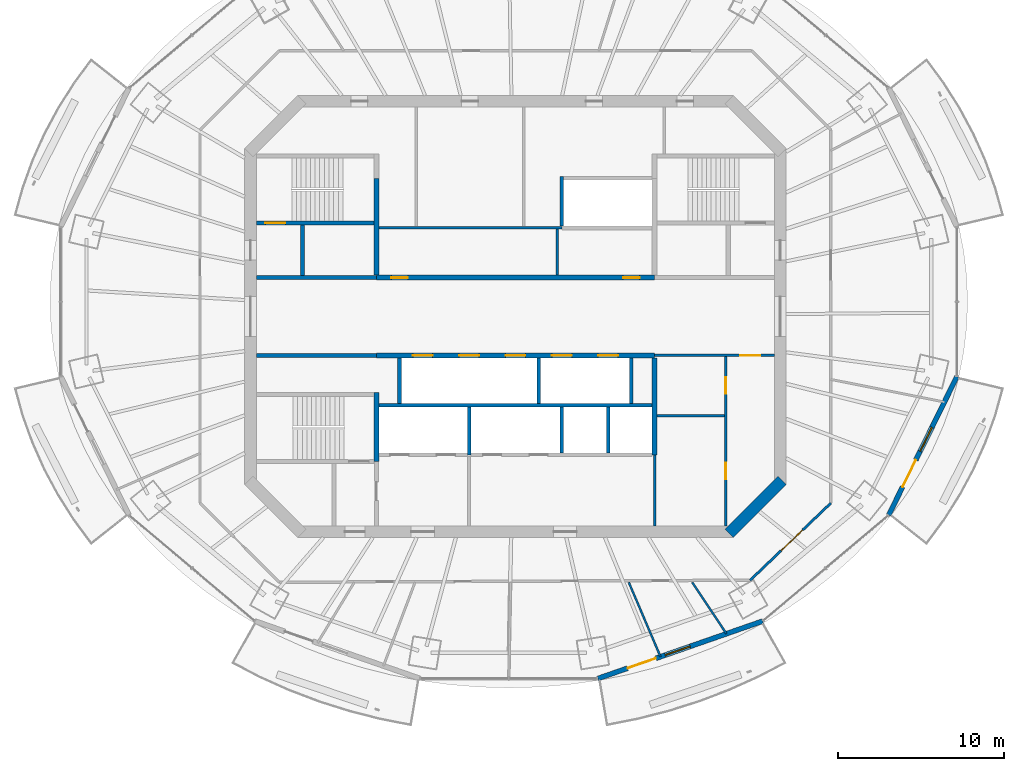
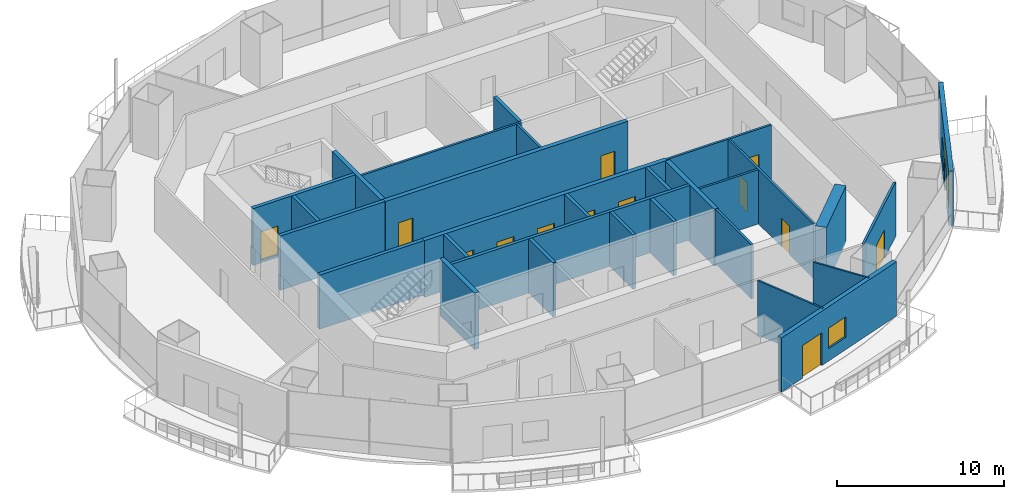
# One storey, part 9 of 16: 29 walls, 14 doors, 2 windows, 16 openings.
"""IFC4 building model written with IfcOpenShell, lengths in metres."""

from ifc_helpers import new_model, si_unit, direction, frame, frame_2d, origin, place, context, subcontext, project, spatial, rectangle, extrude, material, layer, layer_set, type_object, element, fill, save


model = new_model("IFC4")

# Units and contexts
model_context = context("Model", 3, precision=1e-05, world=origin(), true_north=direction((0.0, 1.0)))
body_context = subcontext(model_context, "Body", "Model", "MODEL_VIEW")
ifc_project = project(units=[si_unit("LENGTHUNIT", "METRE"), si_unit("AREAUNIT", "SQUARE_METRE"), si_unit("VOLUMEUNIT", "CUBIC_METRE"), si_unit("PLANEANGLEUNIT", "RADIAN"), si_unit("MASSUNIT", "GRAM", prefix="KILO")], contexts=[model_context])

# Site, building, storey
site_placement = place(None, origin())
site = spatial("IfcSite", under=ifc_project, at=site_placement, CompositionType="ELEMENT")
building_placement = place(site_placement, origin())
building = spatial("IfcBuilding", under=site, at=building_placement, Name="Marenthal Gate Tower", CompositionType="ELEMENT")
storey_placement = place(building_placement, frame((0.0, 0.0, 330.14990234375)))
storey = spatial("IfcBuildingStorey", under=building, at=storey_placement, Name="L74", CompositionType="ELEMENT", Elevation=330.14990234375)

# Wall
ifc_material_1 = material(Name="Concrete 60 MPa", Category="concrete")
ifc_layer_1 = layer(ifc_material_1, 0.699951171875)
ifc_layer_set_1 = layer_set([ifc_layer_1], Name="Core shear wall 700")
wall_type_1 = type_object("IfcWallType", Name="Core shear wall 700", PredefinedType="SHEAR", material=ifc_layer_set_1)
wall_1_placement = place(storey_placement, frame((12.8974609375, -13.1025390625, -0.179931640625), z_axis=(0.0, 0.0, 1.0), x_axis=(0.707106781187, 0.707106781187, 0.0)))
element("IfcWall", 1, at=wall_1_placement, inside=storey, type_object=wall_type_1, Name="Core wall 01", PredefinedType="SHEAR", context=body_context, shape_type="SweptSolid", body=[
    extrude(rectangle(XDim=4.53271484375, YDim=0.699951171875, at=frame_2d((2.266357421875, 0.0))), origin(), (0.0, 0.0, 1.0), 4.150146484375),
])

# Wall, openings, doors
ifc_material_2 = material(Name="Concrete 50 MPa", Category="concrete")
ifc_layer_2 = layer(ifc_material_2, 0.300048828125)
ifc_layer_set_2 = layer_set([ifc_layer_2], Name="Hoistway shear wall 300")
wall_type_2 = type_object("IfcWallType", Name="Hoistway shear wall 300", PredefinedType="SHEAR", material=ifc_layer_set_2)
wall_2_placement = place(storey_placement, frame((-8.39990234375, -2.35009765625, -0.179931640625), z_axis=(0.0, 0.0, 1.0), x_axis=(1.0, 0.0, 0.0)))
wall_2 = element("IfcWall", 2, at=wall_2_placement, inside=storey, type_object=wall_type_2, Name="Hoistway wall 16", PredefinedType="SHEAR", context=body_context, shape_type="SweptSolid", body=[
    extrude(rectangle(XDim=16.7998046875, YDim=0.300048828125, at=frame_2d((8.39990234375, 0.0))), origin(), (0.0, 0.0, 1.0), 4.150146484375),
])
opening_1_placement = place(wall_2_placement, frame((2.199951171875, 0.0, 0.179931640625)))
opening_1 = element("IfcOpeningElement", 3, at=opening_1_placement, cuts=wall_2, Name="Opening LD-HP1", PredefinedType="OPENING", context=body_context, shape_type="SweptSolid", body=[
    extrude(rectangle(XDim=1.199951171875, YDim=2.10009765625, at=frame_2d((0.60009765625, 1.050048828125))), frame((0.0, 0.16015625, 0.0), z_axis=(0.0, -1.0, 0.0), x_axis=(1.0, 0.0, 0.0)), (0.0, 0.0, 1.0), 0.320068359375),
])
opening_2_placement = place(wall_2_placement, frame((5.0, 0.0, 0.179931640625)))
opening_2 = element("IfcOpeningElement", 4, at=opening_2_placement, cuts=wall_2, Name="Opening LD-HP2", PredefinedType="OPENING", context=body_context, shape_type="SweptSolid", body=[
    extrude(rectangle(XDim=1.199951171875, YDim=2.10009765625, at=frame_2d((0.60009765625, 1.050048828125))), frame((0.0, 0.16015625, 0.0), z_axis=(0.0, -1.0, 0.0), x_axis=(1.0, 0.0, 0.0)), (0.0, 0.0, 1.0), 0.320068359375),
])
opening_3_placement = place(wall_2_placement, frame((7.800048828125, 0.0, 0.179931640625)))
opening_3 = element("IfcOpeningElement", 5, at=opening_3_placement, cuts=wall_2, Name="Opening LD-HP3", PredefinedType="OPENING", context=body_context, shape_type="SweptSolid", body=[
    extrude(rectangle(XDim=1.199951171875, YDim=2.10009765625, at=frame_2d((0.60009765625, 1.050048828125))), frame((0.0, 0.16015625, 0.0), z_axis=(0.0, -1.0, 0.0), x_axis=(1.0, 0.0, 0.0)), (0.0, 0.0, 1.0), 0.320068359375),
])
opening_4_placement = place(wall_2_placement, frame((10.60009765625, 0.0, 0.179931640625)))
opening_4 = element("IfcOpeningElement", 6, at=opening_4_placement, cuts=wall_2, Name="Opening LD-HP4", PredefinedType="OPENING", context=body_context, shape_type="SweptSolid", body=[
    extrude(rectangle(XDim=1.199951171875, YDim=2.10009765625, at=frame_2d((0.60009765625, 1.050048828125))), frame((0.0, 0.16015625, 0.0), z_axis=(0.0, -1.0, 0.0), x_axis=(1.0, 0.0, 0.0)), (0.0, 0.0, 1.0), 0.320068359375),
])
opening_5_placement = place(wall_2_placement, frame((13.39990234375, 0.0, 0.179931640625)))
opening_5 = element("IfcOpeningElement", 7, at=opening_5_placement, cuts=wall_2, Name="Opening LD-HP5", PredefinedType="OPENING", context=body_context, shape_type="SweptSolid", body=[
    extrude(rectangle(XDim=1.199951171875, YDim=2.10009765625, at=frame_2d((0.60009765625, 1.050048828125))), frame((0.0, 0.16015625, 0.0), z_axis=(0.0, -1.0, 0.0), x_axis=(1.0, 0.0, 0.0)), (0.0, 0.0, 1.0), 0.320068359375),
])
ifc_material_3 = material(Name="Stainless steel sliding door", Category="steel")
door_type_1 = type_object("IfcDoorType", Name="Lift landing door FD 90 1200 x 2100", OperationType="DOUBLE_DOOR_SLIDING", PredefinedType="DOOR", material=ifc_material_3)
door_1_placement = place(opening_1_placement, origin())
door_1 = element("IfcDoor", 8, at=door_1_placement, inside=storey, type_object=door_type_1, Name="Lift landing door HP1", OperationType="DOUBLE_DOOR_SLIDING", OverallHeight=2.10009765625, OverallWidth=1.199951171875, PredefinedType="DOOR", context=body_context, shape_type="SweptSolid", body=[
    extrude(rectangle(XDim=1.199951171875, YDim=2.10009765625, at=frame_2d((0.60009765625, 1.050048828125))), frame((0.0, 0.02490234375, 0.0), z_axis=(0.0, -1.0, 0.0), x_axis=(1.0, 0.0, 0.0)), (0.0, 0.0, 1.0), 0.050048828125),
])
fill(opening_1, door_1)
door_2_placement = place(opening_2_placement, origin())
door_2 = element("IfcDoor", 9, at=door_2_placement, inside=storey, type_object=door_type_1, Name="Lift landing door HP2", OperationType="DOUBLE_DOOR_SLIDING", OverallHeight=2.10009765625, OverallWidth=1.199951171875, PredefinedType="DOOR", context=body_context, shape_type="SweptSolid", body=[
    extrude(rectangle(XDim=1.199951171875, YDim=2.10009765625, at=frame_2d((0.60009765625, 1.050048828125))), frame((0.0, 0.02490234375, 0.0), z_axis=(0.0, -1.0, 0.0), x_axis=(1.0, 0.0, 0.0)), (0.0, 0.0, 1.0), 0.050048828125),
])
fill(opening_2, door_2)
door_3_placement = place(opening_3_placement, origin())
door_3 = element("IfcDoor", 10, at=door_3_placement, inside=storey, type_object=door_type_1, Name="Lift landing door HP3", OperationType="DOUBLE_DOOR_SLIDING", OverallHeight=2.10009765625, OverallWidth=1.199951171875, PredefinedType="DOOR", context=body_context, shape_type="SweptSolid", body=[
    extrude(rectangle(XDim=1.199951171875, YDim=2.10009765625, at=frame_2d((0.60009765625, 1.050048828125))), frame((0.0, 0.02490234375, 0.0), z_axis=(0.0, -1.0, 0.0), x_axis=(1.0, 0.0, 0.0)), (0.0, 0.0, 1.0), 0.050048828125),
])
fill(opening_3, door_3)
door_4_placement = place(opening_4_placement, origin())
door_4 = element("IfcDoor", 11, at=door_4_placement, inside=storey, type_object=door_type_1, Name="Lift landing door HP4", OperationType="DOUBLE_DOOR_SLIDING", OverallHeight=2.10009765625, OverallWidth=1.199951171875, PredefinedType="DOOR", context=body_context, shape_type="SweptSolid", body=[
    extrude(rectangle(XDim=1.199951171875, YDim=2.10009765625, at=frame_2d((0.60009765625, 1.050048828125))), frame((0.0, 0.02490234375, 0.0), z_axis=(0.0, -1.0, 0.0), x_axis=(1.0, 0.0, 0.0)), (0.0, 0.0, 1.0), 0.050048828125),
])
fill(opening_4, door_4)
door_5_placement = place(opening_5_placement, origin())
door_5 = element("IfcDoor", 12, at=door_5_placement, inside=storey, type_object=door_type_1, Name="Lift landing door HP5", OperationType="DOUBLE_DOOR_SLIDING", OverallHeight=2.10009765625, OverallWidth=1.199951171875, PredefinedType="DOOR", context=body_context, shape_type="SweptSolid", body=[
    extrude(rectangle(XDim=1.199951171875, YDim=2.10009765625, at=frame_2d((0.60009765625, 1.050048828125))), frame((0.0, 0.02490234375, 0.0), z_axis=(0.0, -1.0, 0.0), x_axis=(1.0, 0.0, 0.0)), (0.0, 0.0, 1.0), 0.050048828125),
])
fill(opening_5, door_5)

wall_3_placement = place(storey_placement, frame((-8.39990234375, 2.35009765625, -0.179931640625), z_axis=(0.0, 0.0, 1.0), x_axis=(1.0, 0.0, 0.0)))
wall_3 = element("IfcWall", 13, at=wall_3_placement, inside=storey, type_object=wall_type_2, Name="Hoistway wall 19", PredefinedType="SHEAR", context=body_context, shape_type="SweptSolid", body=[
    extrude(rectangle(XDim=16.7998046875, YDim=0.300048828125, at=frame_2d((8.39990234375, 0.0))), origin(), (0.0, 0.0, 1.0), 4.150146484375),
])
opening_6_placement = place(wall_3_placement, frame((0.89990234375, 0.0, 0.179931640625)))
opening_6 = element("IfcOpeningElement", 14, at=opening_6_placement, cuts=wall_3, Name="Opening D005.01", PredefinedType="OPENING", context=body_context, shape_type="SweptSolid", body=[
    extrude(rectangle(XDim=1.0, YDim=2.10009765625, at=frame_2d((0.5, 1.050048828125))), frame((0.0, 0.16015625, 0.0), z_axis=(0.0, -1.0, 0.0), x_axis=(1.0, 0.0, 0.0)), (0.0, 0.0, 1.0), 0.320068359375),
])
opening_7_placement = place(wall_3_placement, frame((14.89990234375, 0.0, 0.179931640625)))
opening_7 = element("IfcOpeningElement", 15, at=opening_7_placement, cuts=wall_3, Name="Opening D005.02", PredefinedType="OPENING", context=body_context, shape_type="SweptSolid", body=[
    extrude(rectangle(XDim=1.0, YDim=2.10009765625, at=frame_2d((0.5, 1.050048828125))), frame((0.0, 0.16015625, 0.0), z_axis=(0.0, -1.0, 0.0), x_axis=(1.0, 0.0, 0.0)), (0.0, 0.0, 1.0), 0.320068359375),
])
ifc_material_4 = material(Name="Steel fire door", Category="steel")
door_type_2 = type_object("IfcDoorType", Name="Fire door FD 45 1000 x 2100", OperationType="NOTDEFINED", PredefinedType="DOOR", material=ifc_material_4)
door_6_placement = place(opening_6_placement, origin())
door_6 = element("IfcDoor", 16, at=door_6_placement, inside=storey, type_object=door_type_2, Name="Door D005.01", OperationType="SINGLE_SWING_RIGHT", OverallHeight=2.10009765625, OverallWidth=1.0, PredefinedType="DOOR", context=body_context, shape_type="SweptSolid", body=[
    extrude(rectangle(XDim=1.0, YDim=2.10009765625, at=frame_2d((0.5, 1.050048828125))), frame((0.0, 0.02490234375, 0.0), z_axis=(0.0, -1.0, 0.0), x_axis=(1.0, 0.0, 0.0)), (0.0, 0.0, 1.0), 0.050048828125),
])
fill(opening_6, door_6)
door_7_placement = place(opening_7_placement, origin())
door_7 = element("IfcDoor", 17, at=door_7_placement, inside=storey, type_object=door_type_2, Name="Door D005.02", OperationType="SINGLE_SWING_RIGHT", OverallHeight=2.10009765625, OverallWidth=1.0, PredefinedType="DOOR", context=body_context, shape_type="SweptSolid", body=[
    extrude(rectangle(XDim=1.0, YDim=2.10009765625, at=frame_2d((0.5, 1.050048828125))), frame((0.0, 0.02490234375, 0.0), z_axis=(0.0, -1.0, 0.0), x_axis=(1.0, 0.0, 0.0)), (0.0, 0.0, 1.0), 0.050048828125),
])
fill(opening_7, door_7)

# Walls
wall_4_placement = place(storey_placement, frame((-8.39990234375, -8.75, -0.179931640625), z_axis=(0.0, 0.0, 1.0), x_axis=(0.0, 1.0, 0.0)))
element("IfcWall", 18, at=wall_4_placement, inside=storey, type_object=wall_type_2, Name="Hoistway wall 31", PredefinedType="SHEAR", context=body_context, shape_type="SweptSolid", body=[
    extrude(rectangle(XDim=4.175048828125, YDim=0.300048828125, at=frame_2d((2.08740234375, 0.0))), origin(), (0.0, 0.0, 1.0), 4.150146484375),
])
for number, where, z_axis, x_axis, name in (
    (19, (-8.39990234375, 2.5, -0.179931640625), (0.0, 0.0, 1.0), (0.0, 1.0, 0.0), "Hoistway wall 32"),
    (20, (8.39990234375, -8.35009765625, -0.179931640625), (0.0, 0.0, 1.0), (0.0, 1.0, 0.0), "Hoistway wall 46"),
):
    element("IfcWall", number, at=place(storey_placement, frame(where, z_axis=z_axis, x_axis=x_axis)), inside=storey, type_object=wall_type_2, Name=name, PredefinedType="SHEAR", context=body_context, shape_type="SweptSolid", body=[
        extrude(rectangle(XDim=5.85009765625, YDim=0.300048828125, at=frame_2d((2.925048828125, 0.0))), origin(), (0.0, 0.0, 1.0), 4.150146484375),
    ])
ifc_material_5 = material(Name="Concrete 40 MPa", Category="concrete")
ifc_layer_3 = layer(ifc_material_5, 0.219970703125)
ifc_layer_set_3 = layer_set([ifc_layer_3], Name="Hoistway wall 220")
wall_type_3 = type_object("IfcWallType", Name="Hoistway wall 220", PredefinedType="STANDARD", material=ifc_layer_set_3)
wall_5_placement = place(storey_placement, frame((-8.25, -5.35009765625, 0.0), z_axis=(0.0, 0.0, 1.0), x_axis=(1.0, 0.0, 0.0)))
element("IfcWall", 21, at=wall_5_placement, inside=storey, type_object=wall_type_3, Name="Hoistway wall 13", PredefinedType="STANDARD", context=body_context, shape_type="SweptSolid", body=[
    extrude(rectangle(XDim=16.5, YDim=0.219970703125, at=frame_2d((8.25, 0.0))), origin(), (0.0, 0.0, 1.0), 3.97021484375),
])
wall_6_placement = place(storey_placement, frame((-7.0, -5.239990234375, 0.0), z_axis=(0.0, 0.0, 1.0), x_axis=(0.0, 1.0, 0.0)))
element("IfcWall", 22, at=wall_6_placement, inside=storey, type_object=wall_type_3, Name="Hoistway wall 34", PredefinedType="STANDARD", context=body_context, shape_type="SweptSolid", body=[
    extrude(rectangle(XDim=2.739990234375, YDim=0.219970703125, at=frame_2d((1.3701171875, 0.0))), origin(), (0.0, 0.0, 1.0), 3.97021484375),
])
wall_7_placement = place(storey_placement, frame((-2.800048828125, -8.35009765625, 0.0), z_axis=(0.0, 0.0, 1.0), x_axis=(0.0, 1.0, 0.0)))
element("IfcWall", 23, at=wall_7_placement, inside=storey, type_object=wall_type_3, Name="Hoistway wall 37", PredefinedType="STANDARD", context=body_context, shape_type="SweptSolid", body=[
    extrude(rectangle(XDim=2.89013671875, YDim=0.219970703125, at=frame_2d((1.445068359375, 0.0))), origin(), (0.0, 0.0, 1.0), 3.97021484375),
])
wall_8_placement = place(storey_placement, frame((1.39990234375, -5.239990234375, 0.0), z_axis=(0.0, 0.0, 1.0), x_axis=(0.0, 1.0, 0.0)))
element("IfcWall", 24, at=wall_8_placement, inside=storey, type_object=wall_type_3, Name="Hoistway wall 39", PredefinedType="STANDARD", context=body_context, shape_type="SweptSolid", body=[
    extrude(rectangle(XDim=2.739990234375, YDim=0.219970703125, at=frame_2d((1.3701171875, 0.0))), origin(), (0.0, 0.0, 1.0), 3.97021484375),
])
wall_9_placement = place(storey_placement, frame((2.800048828125, -8.239990234375, 0.0), z_axis=(0.0, 0.0, 1.0), x_axis=(0.0, 1.0, 0.0)))
element("IfcWall", 25, at=wall_9_placement, inside=storey, type_object=wall_type_3, Name="Hoistway wall 41", PredefinedType="STANDARD", context=body_context, shape_type="SweptSolid", body=[
    extrude(rectangle(XDim=2.780029296875, YDim=0.219970703125, at=frame_2d((1.39013671875, 0.0))), origin(), (0.0, 0.0, 1.0), 3.97021484375),
])
wall_10_placement = place(storey_placement, frame((2.800048828125, 5.4599609375, 0.0), z_axis=(0.0, 0.0, 1.0), x_axis=(0.0, 1.0, 0.0)))
element("IfcWall", 26, at=wall_10_placement, inside=storey, type_object=wall_type_3, Name="Hoistway wall 42", PredefinedType="STANDARD", context=body_context, shape_type="SweptSolid", body=[
    extrude(rectangle(XDim=3.0, YDim=0.219970703125, at=frame_2d((1.5, 0.0))), origin(), (0.0, 0.0, 1.0), 3.97021484375),
])
wall_11_placement = place(storey_placement, frame((5.60009765625, -8.239990234375, 0.0), z_axis=(0.0, 0.0, 1.0), x_axis=(0.0, 1.0, 0.0)))
element("IfcWall", 27, at=wall_11_placement, inside=storey, type_object=wall_type_3, Name="Hoistway wall 43", PredefinedType="STANDARD", context=body_context, shape_type="SweptSolid", body=[
    extrude(rectangle(XDim=2.780029296875, YDim=0.219970703125, at=frame_2d((1.39013671875, 0.0))), origin(), (0.0, 0.0, 1.0), 3.97021484375),
])
wall_12_placement = place(storey_placement, frame((7.0, -5.239990234375, 0.0), z_axis=(0.0, 0.0, 1.0), x_axis=(0.0, 1.0, 0.0)))
element("IfcWall", 28, at=wall_12_placement, inside=storey, type_object=wall_type_3, Name="Hoistway wall 44", PredefinedType="STANDARD", context=body_context, shape_type="SweptSolid", body=[
    extrude(rectangle(XDim=2.739990234375, YDim=0.219970703125, at=frame_2d((1.3701171875, 0.0))), origin(), (0.0, 0.0, 1.0), 3.97021484375),
])
ifc_material_6 = material(Name="Gypsum board on steel studs", Category="steel")
ifc_layer_4 = layer(ifc_material_6, 0.1201171875)
ifc_layer_set_4 = layer_set([ifc_layer_4], Name="Partition 120")
wall_type_4 = type_object("IfcWallType", Name="Partition 120", PredefinedType="PARTITIONING", material=ifc_layer_set_4)
wall_13_placement = place(storey_placement, frame((6.843505859375, -16.050048828125, 0.0), z_axis=(0.0, 0.0, 1.0), x_axis=(0.392236363269, -0.919864465739, 0.0)))
element("IfcWall", 29, at=wall_13_placement, inside=storey, type_object=wall_type_4, Name="Partition wall 62", PredefinedType="PARTITIONING", context=body_context, shape_type="SweptSolid", body=[
    extrude(rectangle(XDim=4.88671875, YDim=0.1201171875, at=frame_2d((2.443359375, 0.0))), origin(), (0.0, 0.0, 1.0), 3.97021484375),
])
wall_14_placement = place(storey_placement, frame((10.6748046875, -16.050048828125, 0.0), z_axis=(0.0, 0.0, 1.0), x_axis=(0.553809323765, -0.832643520908, 0.0)))
element("IfcWall", 30, at=wall_14_placement, inside=storey, type_object=wall_type_4, Name="Partition wall 63", PredefinedType="PARTITIONING", context=body_context, shape_type="SweptSolid", body=[
    extrude(rectangle(XDim=3.732666015625, YDim=0.1201171875, at=frame_2d((1.8662109375, 0.0))), origin(), (0.0, 0.0, 1.0), 3.97021484375),
])
ifc_material_7 = material(Name="Gypsum board on steel studs", Category="steel")
ifc_layer_5 = layer(ifc_material_7, 0.14990234375)
ifc_layer_set_5 = layer_set([ifc_layer_5], Name="Partition 150")
wall_type_5 = type_object("IfcWallType", Name="Partition 150", PredefinedType="PARTITIONING", material=ifc_layer_set_5)
wall_15_placement = place(storey_placement, frame((8.550048828125, -6.0, 0.0), z_axis=(0.0, 0.0, 1.0), x_axis=(1.0, 0.0, 0.0)))
element("IfcWall", 31, at=wall_15_placement, inside=storey, type_object=wall_type_5, Name="Partition wall 12", PredefinedType="PARTITIONING", context=body_context, shape_type="SweptSolid", body=[
    extrude(rectangle(XDim=4.074951171875, YDim=0.14990234375, at=frame_2d((2.03759765625, 0.0))), origin(), (0.0, 0.0, 1.0), 3.97021484375),
])

# Wall, opening, door
wall_16_placement = place(storey_placement, frame((8.39990234375, -2.35009765625, 0.0), z_axis=(0.0, 0.0, 1.0), x_axis=(1.0, 0.0, 0.0)))
wall_16 = element("IfcWall", 32, at=wall_16_placement, inside=storey, type_object=wall_type_5, Name="Partition wall 17", PredefinedType="PARTITIONING", context=body_context, shape_type="SweptSolid", body=[
    extrude(rectangle(XDim=7.25, YDim=0.14990234375, at=frame_2d((3.625, 0.0))), origin(), (0.0, 0.0, 1.0), 3.97021484375),
])
opening_8_placement = place(wall_16_placement, frame((5.175048828125, 0.0, 0.0)))
opening_8 = element("IfcOpeningElement", 33, at=opening_8_placement, cuts=wall_16, Name="Opening D006.01", PredefinedType="OPENING", context=body_context, shape_type="SweptSolid", body=[
    extrude(rectangle(XDim=1.199951171875, YDim=2.10009765625, at=frame_2d((0.60009765625, 1.050048828125))), frame((0.0, 0.0849609375, 0.0), z_axis=(0.0, -1.0, 0.0), x_axis=(1.0, 0.0, 0.0)), (0.0, 0.0, 1.0), 0.169921875),
])
ifc_material_8 = material(Name="Steel fire door", Category="steel")
door_type_3 = type_object("IfcDoorType", Name="Fire door FD 45 1200 x 2100", OperationType="NOTDEFINED", PredefinedType="DOOR", material=ifc_material_8)
door_8_placement = place(opening_8_placement, frame((1.199951171875, 0.0, 0.0), z_axis=(0.0, 0.0, 1.0), x_axis=(-1.0, 0.0, 0.0)))
door_8 = element("IfcDoor", 34, at=door_8_placement, inside=storey, type_object=door_type_3, Name="Door D006.01", OperationType="SINGLE_SWING_LEFT", OverallHeight=2.10009765625, OverallWidth=1.199951171875, PredefinedType="DOOR", context=body_context, shape_type="SweptSolid", body=[
    extrude(rectangle(XDim=1.199951171875, YDim=2.10009765625, at=frame_2d((0.60009765625, 1.050048828125))), frame((0.0, 0.02490234375, 0.0), z_axis=(0.0, -1.0, 0.0), x_axis=(1.0, 0.0, 0.0)), (0.0, 0.0, 1.0), 0.050048828125),
])
fill(opening_8, door_8)

# Walls
wall_17_placement = place(storey_placement, frame((-8.25, 5.35009765625, 0.0), z_axis=(0.0, 0.0, 1.0), x_axis=(1.0, 0.0, 0.0)))
element("IfcWall", 35, at=wall_17_placement, inside=storey, type_object=wall_type_5, Name="Partition wall 21", PredefinedType="PARTITIONING", context=body_context, shape_type="SweptSolid", body=[
    extrude(rectangle(XDim=11.050048828125, YDim=0.14990234375, at=frame_2d((5.52490234375, 0.0))), origin(), (0.0, 0.0, 1.0), 3.97021484375),
])
wall_18_placement = place(storey_placement, frame((2.52001953125, 2.5, 0.0), z_axis=(0.0, 0.0, 1.0), x_axis=(0.0, 1.0, 0.0)))
element("IfcWall", 36, at=wall_18_placement, inside=storey, type_object=wall_type_5, Name="Partition wall 40", PredefinedType="PARTITIONING", context=body_context, shape_type="SweptSolid", body=[
    extrude(rectangle(XDim=2.77490234375, YDim=0.14990234375, at=frame_2d((1.387451171875, 0.0))), origin(), (0.0, 0.0, 1.0), 3.97021484375),
])
wall_19_placement = place(storey_placement, frame((8.39990234375, -12.64990234375, 0.0), z_axis=(0.0, 0.0, 1.0), x_axis=(0.0, 1.0, 0.0)))
element("IfcWall", 37, at=wall_19_placement, inside=storey, type_object=wall_type_5, Name="Partition wall 45", PredefinedType="PARTITIONING", context=body_context, shape_type="SweptSolid", body=[
    extrude(rectangle(XDim=4.2998046875, YDim=0.14990234375, at=frame_2d((2.14990234375, 0.0))), origin(), (0.0, 0.0, 1.0), 3.97021484375),
])

# Wall, openings, doors
wall_20_placement = place(storey_placement, frame((12.699951171875, -12.64990234375, 0.0), z_axis=(0.0, 0.0, 1.0), x_axis=(0.0, 1.0, 0.0)))
wall_20 = element("IfcWall", 38, at=wall_20_placement, inside=storey, type_object=wall_type_5, Name="Partition wall 50", PredefinedType="PARTITIONING", context=body_context, shape_type="SweptSolid", body=[
    extrude(rectangle(XDim=10.224853515625, YDim=0.14990234375, at=frame_2d((5.1123046875, 0.0))), origin(), (0.0, 0.0, 1.0), 3.97021484375),
])
opening_9_placement = place(wall_20_placement, frame((7.97509765625, 0.0, 0.0)))
opening_9 = element("IfcOpeningElement", 39, at=opening_9_placement, cuts=wall_20, Name="Opening D005.07", PredefinedType="OPENING", context=body_context, shape_type="SweptSolid", body=[
    extrude(rectangle(XDim=1.0, YDim=2.10009765625, at=frame_2d((0.5, 1.050048828125))), frame((0.0, 0.0849609375, 0.0), z_axis=(0.0, -1.0, 0.0), x_axis=(1.0, 0.0, 0.0)), (0.0, 0.0, 1.0), 0.169921875),
])
opening_10_placement = place(wall_20_placement, frame((2.824951171875, 0.0, 0.0)))
opening_10 = element("IfcOpeningElement", 40, at=opening_10_placement, cuts=wall_20, Name="Opening D005.08", PredefinedType="OPENING", context=body_context, shape_type="SweptSolid", body=[
    extrude(rectangle(XDim=1.0, YDim=2.10009765625, at=frame_2d((0.5, 1.050048828125))), frame((0.0, 0.0849609375, 0.0), z_axis=(0.0, -1.0, 0.0), x_axis=(1.0, 0.0, 0.0)), (0.0, 0.0, 1.0), 0.169921875),
])
door_9_placement = place(opening_9_placement, origin())
door_9 = element("IfcDoor", 41, at=door_9_placement, inside=storey, type_object=door_type_2, Name="Door D005.07", OperationType="SINGLE_SWING_RIGHT", OverallHeight=2.10009765625, OverallWidth=1.0, PredefinedType="DOOR", context=body_context, shape_type="SweptSolid", body=[
    extrude(rectangle(XDim=1.0, YDim=2.10009765625, at=frame_2d((0.5, 1.050048828125))), frame((0.0, 0.02490234375, 0.0), z_axis=(0.0, -1.0, 0.0), x_axis=(1.0, 0.0, 0.0)), (0.0, 0.0, 1.0), 0.050048828125),
])
fill(opening_9, door_9)
door_10_placement = place(opening_10_placement, origin())
door_10 = element("IfcDoor", 42, at=door_10_placement, inside=storey, type_object=door_type_2, Name="Door D005.08", OperationType="SINGLE_SWING_RIGHT", OverallHeight=2.10009765625, OverallWidth=1.0, PredefinedType="DOOR", context=body_context, shape_type="SweptSolid", body=[
    extrude(rectangle(XDim=1.0, YDim=2.10009765625, at=frame_2d((0.5, 1.050048828125))), frame((0.0, 0.02490234375, 0.0), z_axis=(0.0, -1.0, 0.0), x_axis=(1.0, 0.0, 0.0)), (0.0, 0.0, 1.0), 0.050048828125),
])
fill(opening_10, door_10)

# Wall, opening, door
wall_21_placement = place(storey_placement, frame((19.050048828125, -11.263427734375, 0.0), z_axis=(0.0, 0.0, 1.0), x_axis=(-0.722587616722, -0.691279347414, 0.0)))
wall_21 = element("IfcWall", 43, at=wall_21_placement, inside=storey, type_object=wall_type_5, Name="Partition wall 66", PredefinedType="PARTITIONING", context=body_context, shape_type="SweptSolid", body=[
    extrude(rectangle(XDim=6.7451171875, YDim=0.14990234375, at=frame_2d((3.37255859375, 0.0))), origin(), (0.0, 0.0, 1.0), 3.97021484375),
])
opening_11_placement = place(wall_21_placement, frame((2.360107421875, 0.0, 0.0)))
opening_11 = element("IfcOpeningElement", 44, at=opening_11_placement, cuts=wall_21, Name="Opening D014.02", PredefinedType="OPENING", context=body_context, shape_type="SweptSolid", body=[
    extrude(rectangle(XDim=1.800048828125, YDim=2.10009765625, at=frame_2d((0.89990234375, 1.050048828125))), frame((0.0, 0.0849609375, 0.0), z_axis=(0.0, -1.0, 0.0), x_axis=(1.0, 0.0, 0.0)), (0.0, 0.0, 1.0), 0.169921875),
])
ifc_material_9 = material(Name="Timber door", Category="wood")
door_type_4 = type_object("IfcDoorType", Name="Double door 1800 x 2100", OperationType="DOUBLE_DOOR_SINGLE_SWING", PredefinedType="DOOR", material=ifc_material_9)
door_11_placement = place(opening_11_placement, origin())
door_11 = element("IfcDoor", 45, at=door_11_placement, inside=storey, type_object=door_type_4, Name="Door D014.02", OperationType="DOUBLE_DOOR_SINGLE_SWING", OverallHeight=2.10009765625, OverallWidth=1.800048828125, PredefinedType="DOOR", context=body_context, shape_type="SweptSolid", body=[
    extrude(rectangle(XDim=1.800048828125, YDim=2.10009765625, at=frame_2d((0.89990234375, 1.050048828125))), frame((0.0, 0.02490234375, 0.0), z_axis=(0.0, -1.0, 0.0), x_axis=(1.0, 0.0, 0.0)), (0.0, 0.0, 1.0), 0.050048828125),
])
fill(opening_11, door_11)

# Walls
ifc_material_10 = material(Name="Concrete 40 MPa", Category="concrete")
ifc_layer_6 = layer(ifc_material_10, 0.25)
ifc_layer_set_6 = layer_set([ifc_layer_6], Name="Stair enclosure wall 250")
wall_type_6 = type_object("IfcWallType", Name="Stair enclosure wall 250", PredefinedType="STANDARD", material=ifc_layer_set_6)
for number, where, z_axis, x_axis, name in (
    (46, (-15.64990234375, -2.35009765625, 0.0), (0.0, 0.0, 1.0), (1.0, 0.0, 0.0), "Stair wall 15"),
    (47, (-15.64990234375, 2.35009765625, 0.0), (0.0, 0.0, 1.0), (1.0, 0.0, 0.0), "Stair wall 18"),
):
    element("IfcWall", number, at=place(storey_placement, frame(where, z_axis=z_axis, x_axis=x_axis)), inside=storey, type_object=wall_type_6, Name=name, PredefinedType="STANDARD", context=body_context, shape_type="SweptSolid", body=[
        extrude(rectangle(XDim=7.25, YDim=0.25, at=frame_2d((3.625, 0.0))), origin(), (0.0, 0.0, 1.0), 3.97021484375),
    ])
wall_22_placement = place(storey_placement, frame((-12.85009765625, 2.47509765625, 0.0), z_axis=(0.0, 0.0, 1.0), x_axis=(0.0, 1.0, 0.0)))
element("IfcWall", 48, at=wall_22_placement, inside=storey, type_object=wall_type_6, Name="Stair wall 28", PredefinedType="STANDARD", context=body_context, shape_type="SweptSolid", body=[
    extrude(rectangle(XDim=3.0498046875, YDim=0.25, at=frame_2d((1.52490234375, 0.0))), origin(), (0.0, 0.0, 1.0), 3.97021484375),
])

# Wall, opening, door
ifc_material_11 = material(Name="Concrete 50 MPa", Category="concrete")
ifc_layer_7 = layer(ifc_material_11, 0.25)
ifc_layer_set_7 = layer_set([ifc_layer_7], Name="Stair shear wall 250")
wall_type_7 = type_object("IfcWallType", Name="Stair shear wall 250", PredefinedType="SHEAR", material=ifc_layer_set_7)
wall_23_placement = place(storey_placement, frame((-15.64990234375, 5.64990234375, -0.179931640625), z_axis=(0.0, 0.0, 1.0), x_axis=(1.0, 0.0, 0.0)))
wall_23 = element("IfcWall", 49, at=wall_23_placement, inside=storey, type_object=wall_type_7, Name="Stair wall 23", PredefinedType="SHEAR", context=body_context, shape_type="SweptSolid", body=[
    extrude(rectangle(XDim=7.099853515625, YDim=0.25, at=frame_2d((3.5498046875, 0.0))), origin(), (0.0, 0.0, 1.0), 4.150146484375),
])
opening_12_placement = place(wall_23_placement, frame((0.550048828125, 0.0, 0.179931640625)))
opening_12 = element("IfcOpeningElement", 50, at=opening_12_placement, cuts=wall_23, Name="Opening D001.01", PredefinedType="OPENING", context=body_context, shape_type="SweptSolid", body=[
    extrude(rectangle(XDim=1.199951171875, YDim=2.10009765625, at=frame_2d((0.60009765625, 1.050048828125))), frame((0.0, 0.135009765625, 0.0), z_axis=(0.0, -1.0, 0.0), x_axis=(1.0, 0.0, 0.0)), (0.0, 0.0, 1.0), 0.27001953125),
])
ifc_material_12 = material(Name="Steel fire door", Category="steel")
door_type_5 = type_object("IfcDoorType", Name="Fire door FD 90 1200 x 2100", OperationType="NOTDEFINED", PredefinedType="DOOR", material=ifc_material_12)
door_12_placement = place(opening_12_placement, origin())
door_12 = element("IfcDoor", 51, at=door_12_placement, inside=storey, type_object=door_type_5, Name="Door D001.01", OperationType="SINGLE_SWING_RIGHT", OverallHeight=2.10009765625, OverallWidth=1.199951171875, PredefinedType="DOOR", context=body_context, shape_type="SweptSolid", body=[
    extrude(rectangle(XDim=1.199951171875, YDim=2.10009765625, at=frame_2d((0.60009765625, 1.050048828125))), frame((0.0, 0.02490234375, 0.0), z_axis=(0.0, -1.0, 0.0), x_axis=(1.0, 0.0, 0.0)), (0.0, 0.0, 1.0), 0.050048828125),
])
fill(opening_12, door_12)

# Wall, openings, door, window
ifc_material_13 = material(Name="Terracotta cladding on insulated concrete-block backing", Category="masonry")
ifc_layer_8 = layer(ifc_material_13, 0.300048828125)
ifc_layer_set_8 = layer_set([ifc_layer_8], Name="Terracotta facade wall 300")
wall_type_8 = type_object("IfcWallType", Name="Terracotta facade wall 300", PredefinedType="SOLIDWALL", material=ifc_layer_set_8)
wall_24_placement = place(storey_placement, frame((4.98291015625, -21.861083984375, 0.0), z_axis=(0.0, 0.0, 1.0), x_axis=(0.944334385595, 0.328987185438, 0.0)))
wall_24 = element("IfcWall", 52, at=wall_24_placement, inside=storey, type_object=wall_type_8, Name="Terracotta facade wall L74 bay 13", PredefinedType="SOLIDWALL", context=body_context, shape_type="SweptSolid", body=[
    extrude(rectangle(XDim=10.532470703125, YDim=0.300048828125, at=frame_2d((5.26611328125, 0.0))), origin(), (0.0, 0.0, 1.0), 3.97021484375),
])
opening_13_placement = place(wall_24_placement, frame((1.89990234375, 0.0, 0.0)))
opening_13 = element("IfcOpeningElement", 53, at=opening_13_placement, cuts=wall_24, Name="Opening BD-L74-13", PredefinedType="OPENING", context=body_context, shape_type="SweptSolid", body=[
    extrude(rectangle(XDim=1.800048828125, YDim=2.39990234375, at=frame_2d((0.89990234375, 1.199951171875))), frame((0.0, 0.16015625, 0.0), z_axis=(0.0, -1.0, 0.0), x_axis=(1.0, 0.0, 0.0)), (0.0, 0.0, 1.0), 0.320068359375),
])
opening_14_placement = place(wall_24_placement, frame((4.300048828125, 0.0, 0.89990234375)))
opening_14 = element("IfcOpeningElement", 54, at=opening_14_placement, cuts=wall_24, Name="Opening WN3-L74-13", PredefinedType="OPENING", context=body_context, shape_type="SweptSolid", body=[
    extrude(rectangle(XDim=1.60009765625, YDim=1.5, at=frame_2d((0.800048828125, 0.75))), frame((0.0, 0.16015625, 0.0), z_axis=(0.0, -1.0, 0.0), x_axis=(1.0, 0.0, 0.0)), (0.0, 0.0, 1.0), 0.320068359375),
])
ifc_material_14 = material(Name="Aluminium and glass", Category="aluminium")
door_type_6 = type_object("IfcDoorType", Name="Balcony door 1800x2400", OperationType="DOUBLE_DOOR_SINGLE_SWING", PredefinedType="DOOR", material=ifc_material_14)
door_13_placement = place(opening_13_placement, origin())
door_13 = element("IfcDoor", 55, at=door_13_placement, inside=storey, type_object=door_type_6, Name="Balcony door L74 bay 13", OperationType="SINGLE_SWING_LEFT", OverallHeight=2.39990234375, OverallWidth=1.800048828125, PredefinedType="DOOR", context=body_context, shape_type="SweptSolid", body=[
    extrude(rectangle(XDim=1.800048828125, YDim=2.39990234375, at=frame_2d((0.89990234375, 1.199951171875))), frame((0.0, 0.02490234375, 0.0), z_axis=(0.0, -1.0, 0.0), x_axis=(1.0, 0.0, 0.0)), (0.0, 0.0, 1.0), 0.050048828125),
])
fill(opening_13, door_13)
ifc_material_15 = material(Name="Aluminium and glass", Category="aluminium")
window_type = type_object("IfcWindowType", Name="Window 1600x1500", PartitioningType="DOUBLE_PANEL_VERTICAL", PredefinedType="WINDOW", material=ifc_material_15)
window_1_placement = place(opening_14_placement, origin())
window_1 = element("IfcWindow", 56, at=window_1_placement, inside=storey, type_object=window_type, Name="Window L74 bay 13", OverallHeight=1.5, OverallWidth=1.60009765625, PartitioningType="SINGLE_PANEL", PredefinedType="WINDOW", context=body_context, shape_type="SweptSolid", body=[
    extrude(rectangle(XDim=1.60009765625, YDim=1.5, at=frame_2d((0.800048828125, 0.75))), frame((0.0, 0.030029296875, 0.0), z_axis=(0.0, -1.0, 0.0), x_axis=(1.0, 0.0, 0.0)), (0.0, 0.0, 1.0), 0.06005859375),
])
fill(opening_14, window_1)

wall_25_placement = place(storey_placement, frame((22.5419921875, -11.9931640625, 0.0), z_axis=(0.0, 0.0, 1.0), x_axis=(0.441801707928, 0.897112730303, 0.0)))
wall_25 = element("IfcWall", 57, at=wall_25_placement, inside=storey, type_object=wall_type_8, Name="Terracotta facade wall L74 bay 15", PredefinedType="SOLIDWALL", context=body_context, shape_type="SweptSolid", body=[
    extrude(rectangle(XDim=9.3251953125, YDim=0.300048828125, at=frame_2d((4.66259765625, 0.0))), origin(), (0.0, 0.0, 1.0), 3.97021484375),
])
opening_15_placement = place(wall_25_placement, frame((1.89990234375, 0.0, 0.0)))
opening_15 = element("IfcOpeningElement", 58, at=opening_15_placement, cuts=wall_25, Name="Opening BD-L74-15", PredefinedType="OPENING", context=body_context, shape_type="SweptSolid", body=[
    extrude(rectangle(XDim=1.800048828125, YDim=2.39990234375, at=frame_2d((0.89990234375, 1.199951171875))), frame((0.0, 0.16015625, 0.0), z_axis=(0.0, -1.0, 0.0), x_axis=(1.0, 0.0, 0.0)), (0.0, 0.0, 1.0), 0.320068359375),
])
opening_16_placement = place(wall_25_placement, frame((4.300048828125, 0.0, 0.89990234375)))
opening_16 = element("IfcOpeningElement", 59, at=opening_16_placement, cuts=wall_25, Name="Opening WN3-L74-15", PredefinedType="OPENING", context=body_context, shape_type="SweptSolid", body=[
    extrude(rectangle(XDim=1.60009765625, YDim=1.5, at=frame_2d((0.800048828125, 0.75))), frame((0.0, 0.16015625, 0.0), z_axis=(0.0, -1.0, 0.0), x_axis=(1.0, 0.0, 0.0)), (0.0, 0.0, 1.0), 0.320068359375),
])
door_14_placement = place(opening_15_placement, origin())
door_14 = element("IfcDoor", 60, at=door_14_placement, inside=storey, type_object=door_type_6, Name="Balcony door L74 bay 15", OperationType="SINGLE_SWING_LEFT", OverallHeight=2.39990234375, OverallWidth=1.800048828125, PredefinedType="DOOR", context=body_context, shape_type="SweptSolid", body=[
    extrude(rectangle(XDim=1.800048828125, YDim=2.39990234375, at=frame_2d((0.89990234375, 1.199951171875))), frame((0.0, 0.02490234375, 0.0), z_axis=(0.0, -1.0, 0.0), x_axis=(1.0, 0.0, 0.0)), (0.0, 0.0, 1.0), 0.050048828125),
])
fill(opening_15, door_14)
window_2_placement = place(opening_16_placement, origin())
window_2 = element("IfcWindow", 61, at=window_2_placement, inside=storey, type_object=window_type, Name="Window L74 bay 15", OverallHeight=1.5, OverallWidth=1.60009765625, PartitioningType="SINGLE_PANEL", PredefinedType="WINDOW", context=body_context, shape_type="SweptSolid", body=[
    extrude(rectangle(XDim=1.60009765625, YDim=1.5, at=frame_2d((0.800048828125, 0.75))), frame((0.0, 0.030029296875, 0.0), z_axis=(0.0, -1.0, 0.0), x_axis=(1.0, 0.0, 0.0)), (0.0, 0.0, 1.0), 0.06005859375),
])
fill(opening_16, window_2)

save(model, "model.ifc")
